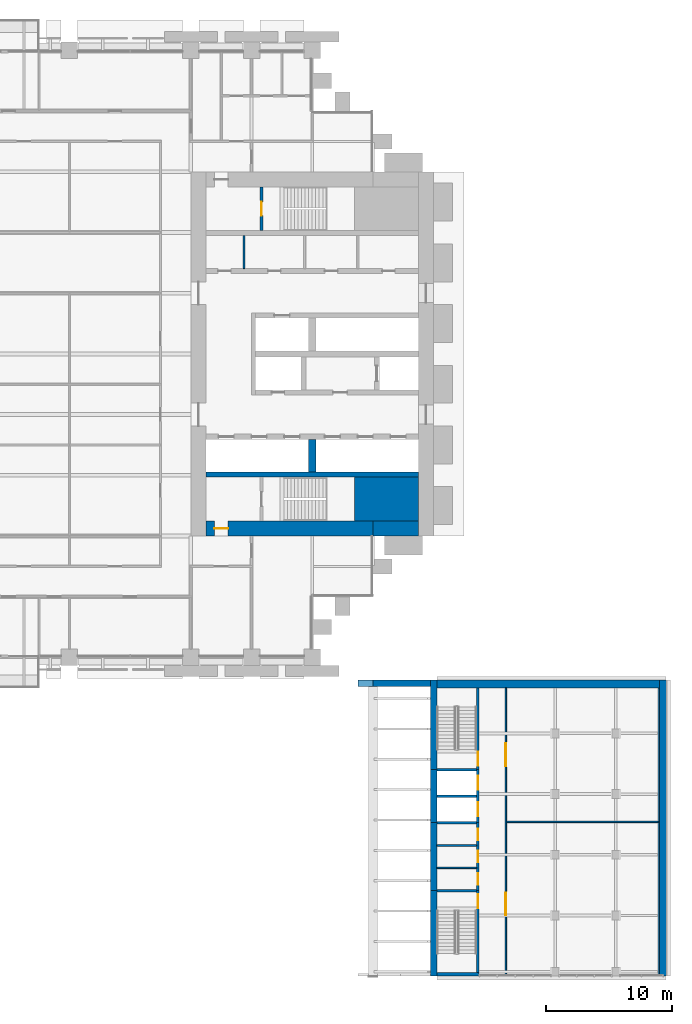
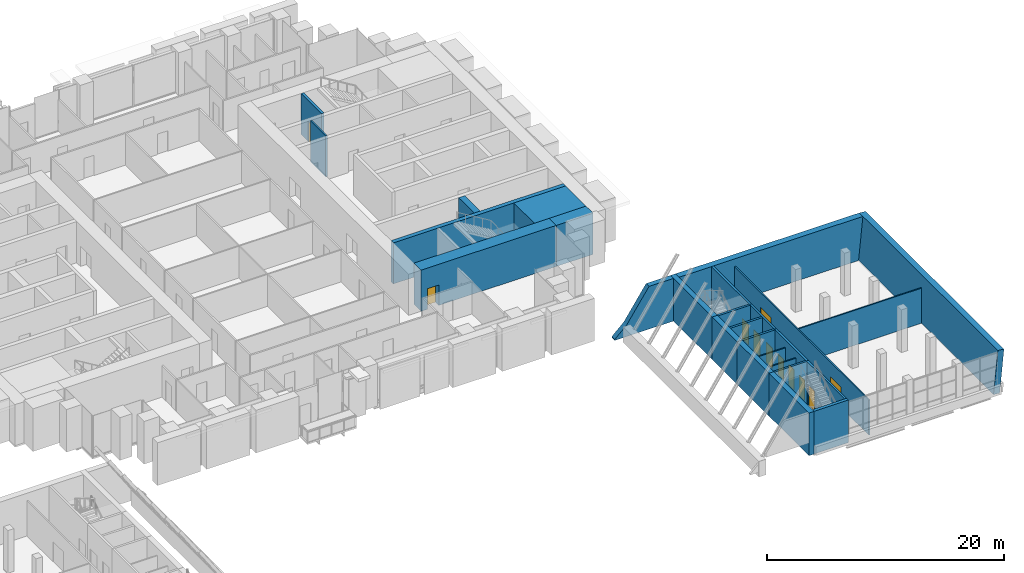
# One storey, part 25 of 32: 27 walls, 11 doors, 11 openings.
"""IFC4 building model written with IfcOpenShell, lengths in metres."""

from ifc_helpers import new_model, si_unit, direction, frame, frame_2d, origin, place, context, subcontext, project, spatial, polyline, rectangle, outline, extrude, material, layer, layer_set, type_object, element, fill, save


model = new_model("IFC4")

# Units and contexts
model_context = context("Model", 3, precision=1e-05, world=origin(), true_north=direction((0.0, 1.0)))
body_context = subcontext(model_context, "Body", "Model", "MODEL_VIEW")
ifc_project = project(units=[si_unit("LENGTHUNIT", "METRE"), si_unit("AREAUNIT", "SQUARE_METRE"), si_unit("VOLUMEUNIT", "CUBIC_METRE"), si_unit("PLANEANGLEUNIT", "RADIAN"), si_unit("MASSUNIT", "GRAM", prefix="KILO")], contexts=[model_context])

# Site, building, storey
site_placement = place(None, origin())
site = spatial("IfcSite", under=ifc_project, at=site_placement, CompositionType="ELEMENT")
building_placement = place(site_placement, origin())
building = spatial("IfcBuilding", under=site, at=building_placement, Name="Baori Bourse Tower", CompositionType="ELEMENT")
storey_placement = place(building_placement, frame((0.0, 0.0, 21.39990234375)))
storey = spatial("IfcBuildingStorey", under=building, at=storey_placement, Name="L03", CompositionType="ELEMENT", Elevation=21.39990234375)

# Walls
ifc_material_1 = material(Name="Concrete f'c 70 MPa", Category="concrete")
wall_type_1 = type_object("IfcWallType", Name="Core corner block f'c 70", PredefinedType="SHEAR", material=ifc_material_1)
wall_1_placement = place(storey_placement, frame((51.35009765625, 12.52490234375, 0.0), z_axis=(0.0, 0.0, 1.0), x_axis=(1.0, 0.0, 0.0)))
element("IfcWall", 1, at=wall_1_placement, inside=storey, type_object=wall_type_1, Name="Core wall E05", PredefinedType="SHEAR", context=body_context, shape_type="SweptSolid", body=[
    extrude(rectangle(XDim=5.0498046875, YDim=3.449951171875, at=frame_2d((2.52490234375, 0.0))), origin(), (0.0, 0.0, 1.0), 4.239990234375),
])
ifc_material_2 = material(Name="Blockwork partition", Category="masonry")
ifc_layer_1 = layer(ifc_material_2, 0.14990234375)
ifc_layer_set_1 = layer_set([ifc_layer_1], Name="Core partition 150")
wall_type_2 = type_object("IfcWallType", Name="Core partition 150", PredefinedType="PARTITIONING", material=ifc_layer_set_1)
wall_2_placement = place(storey_placement, frame((42.60009765625, 30.75, 0.0), z_axis=(0.0, 0.0, 1.0), x_axis=(0.0, 1.0, 0.0)))
element("IfcWall", 2, at=wall_2_placement, inside=storey, type_object=wall_type_2, Name="Partition wall E20", PredefinedType="PARTITIONING", context=body_context, shape_type="SweptSolid", body=[
    extrude(rectangle(XDim=2.60009765625, YDim=0.14990234375, at=frame_2d((1.300048828125, 0.0))), origin(), (0.0, 0.0, 1.0), 4.239990234375),
])
ifc_material_3 = material(Name="Concrete f'c 70 MPa", Category="concrete")
ifc_layer_2 = layer(ifc_material_3, 1.199951171875)
ifc_layer_set_2 = layer_set([ifc_layer_2], Name="Core wall 1200 f'c 70")
wall_type_3 = type_object("IfcWallType", Name="Core wall 1200 f'c 70", PredefinedType="SHEAR", material=ifc_layer_set_2)
wall_3_placement = place(storey_placement, frame((56.39990234375, 10.199951171875, 0.0), z_axis=(0.0, 0.0, 1.0), x_axis=(-1.0, 0.0, 0.0)))
element("IfcWall", 3, at=wall_3_placement, inside=storey, type_object=wall_type_3, Name="Core wall E02", PredefinedType="SHEAR", context=body_context, shape_type="SweptSolid", body=[
    extrude(rectangle(XDim=3.599853515625, YDim=1.199951171875, at=frame_2d((1.7998046875, 0.0))), origin(), (0.0, 0.0, 1.0), 4.239990234375),
])

# Wall, opening, door
wall_4_placement = place(storey_placement, frame((52.800048828125, 10.199951171875, 0.0), z_axis=(0.0, 0.0, 1.0), x_axis=(-1.0, 0.0, 0.0)))
wall_4 = element("IfcWall", 4, at=wall_4_placement, inside=storey, type_object=wall_type_3, Name="Core wall E03", PredefinedType="SHEAR", context=body_context, shape_type="SweptSolid", body=[
    extrude(rectangle(XDim=13.199951171875, YDim=1.199951171875, at=frame_2d((6.60009765625, 0.0))), origin(), (0.0, 0.0, 1.0), 4.239990234375),
])
opening_1_placement = place(wall_4_placement, frame((11.449951171875, 0.0, 0.0)))
opening_1 = element("IfcOpeningElement", 5, at=opening_1_placement, cuts=wall_4, Name="Opening L03-D202", PredefinedType="OPENING", context=body_context, shape_type="SweptSolid", body=[
    extrude(rectangle(XDim=1.10009765625, YDim=2.10009765625, at=frame_2d((0.550048828125, 1.050048828125))), frame((0.0, 0.60986328125, 0.0), z_axis=(0.0, -1.0, 0.0), x_axis=(1.0, 0.0, 0.0)), (0.0, 0.0, 1.0), 1.219970703125),
])
ifc_material_4 = material(Name="Painted steel door", Category="steel")
door_type_1 = type_object("IfcDoorType", Name="Stair door 1100", OperationType="SINGLE_SWING_LEFT", PredefinedType="DOOR", material=ifc_material_4)
door_1_placement = place(opening_1_placement, origin())
door_1 = element("IfcDoor", 6, at=door_1_placement, inside=storey, type_object=door_type_1, Name="Stair vestibule door A E L03", OperationType="SINGLE_SWING_LEFT", OverallHeight=2.10009765625, OverallWidth=1.10009765625, PredefinedType="DOOR", context=body_context, shape_type="SweptSolid", body=[
    extrude(rectangle(XDim=1.10009765625, YDim=2.10009765625, at=frame_2d((0.550048828125, 1.050048828125))), frame((0.0, 0.02490234375, 0.0), z_axis=(0.0, -1.0, 0.0), x_axis=(1.0, 0.0, 0.0)), (0.0, 0.0, 1.0), 0.050048828125),
])
fill(opening_1, door_1)

# Walls
ifc_material_5 = material(Name="Concrete f'c 50 MPa", Category="concrete")
ifc_layer_3 = layer(ifc_material_5, 0.300048828125)
ifc_layer_set_3 = layer_set([ifc_layer_3], Name="Entrance wall 300")
wall_type_4 = type_object("IfcWallType", Name="Entrance wall 300", PredefinedType="SOLIDWALL", material=ifc_layer_set_3)
wall_5_placement = place(storey_placement, frame((61.199951171875, -25.050048828125, 0.0), z_axis=(0.0, 0.0, 1.0), x_axis=(-1.0, 0.0, 0.0)))
element("IfcWall", 7, at=wall_5_placement, inside=storey, type_object=wall_type_4, Name="wing/L03/Esouthwall/001", PredefinedType="SOLIDWALL", context=body_context, shape_type="SweptSolid", body=[
    extrude(rectangle(XDim=3.349853515625, YDim=0.300048828125, at=frame_2d((1.6748046875, 0.0))), origin(), (0.0, 0.0, 1.0), 4.400146484375),
])
ifc_material_6 = material(Name="Concrete f'c 50 MPa", Category="concrete")
ifc_layer_4 = layer(ifc_material_6, 0.5)
ifc_layer_set_4 = layer_set([ifc_layer_4], Name="Hall end wall 500")
wall_type_5 = type_object("IfcWallType", Name="Hall end wall 500", PredefinedType="SOLIDWALL", material=ifc_layer_set_4)
wall_6_placement = place(storey_placement, frame((57.60009765625, -1.800048828125, 0.0), z_axis=(0.0, 0.0, 1.0), x_axis=(0.0, -1.0, 0.0)))
element("IfcWall", 8, at=wall_6_placement, inside=storey, type_object=wall_type_5, Name="wing/L03/Ehallwall/001", PredefinedType="SOLIDWALL", context=body_context, shape_type="SweptSolid", body=[
    extrude(rectangle(XDim=7.06005859375, YDim=0.5, at=frame_2d((3.530029296875, 0.0))), origin(), (0.0, 0.0, 1.0), 4.400146484375),
])
wall_7_placement = place(storey_placement, frame((57.60009765625, -8.860107421875, 0.0), z_axis=(0.0, 0.0, 1.0), x_axis=(0.0, -1.0, 0.0)))
element("IfcWall", 9, at=wall_7_placement, inside=storey, type_object=wall_type_5, Name="wing/L03/Ehallwall/002", PredefinedType="SOLIDWALL", context=body_context, shape_type="SweptSolid", body=[
    extrude(rectangle(XDim=4.199951171875, YDim=0.5, at=frame_2d((2.10009765625, 0.0))), origin(), (0.0, 0.0, 1.0), 4.400146484375),
])
wall_8_placement = place(storey_placement, frame((57.60009765625, -13.06005859375, 0.0), z_axis=(0.0, 0.0, 1.0), x_axis=(0.0, -1.0, 0.0)))
element("IfcWall", 10, at=wall_8_placement, inside=storey, type_object=wall_type_5, Name="wing/L03/Ehallwall/003", PredefinedType="SOLIDWALL", context=body_context, shape_type="SweptSolid", body=[
    extrude(rectangle(XDim=5.3798828125, YDim=0.5, at=frame_2d((2.68994140625, 0.0))), origin(), (0.0, 0.0, 1.0), 4.400146484375),
])
wall_9_placement = place(storey_placement, frame((57.60009765625, -18.43994140625, 0.0), z_axis=(0.0, 0.0, 1.0), x_axis=(0.0, -1.0, 0.0)))
element("IfcWall", 11, at=wall_9_placement, inside=storey, type_object=wall_type_5, Name="wing/L03/Ehallwall/004", PredefinedType="SOLIDWALL", context=body_context, shape_type="SweptSolid", body=[
    extrude(rectangle(XDim=6.760009765625, YDim=0.5, at=frame_2d((3.3798828125, 0.0))), origin(), (0.0, 0.0, 1.0), 4.400146484375),
])
ifc_material_7 = material(Name="Concrete f'c 50 MPa", Category="concrete")
ifc_layer_5 = layer(ifc_material_7, 0.5)
ifc_layer_set_5 = layer_set([ifc_layer_5], Name="Hall north wall 500")
wall_type_6 = type_object("IfcWallType", Name="Hall north wall 500", PredefinedType="SOLIDWALL", material=ifc_layer_set_5)
wall_10_placement = place(storey_placement, frame((51.626953125, -2.050048828125, 0.0), z_axis=(0.0, 0.0, 1.0), x_axis=(1.0, 0.0, 0.0)))
element("IfcWall", 12, at=wall_10_placement, inside=storey, type_object=wall_type_6, Name="wing/L03/hallnorth/002", PredefinedType="SOLIDWALL", context=body_context, shape_type="SweptSolid", body=[
    extrude(outline(polyline([(0.0, 0.0), (5.72314453125, 0.0), (5.72314453125, 4.400146484375), (3.345703125, 4.400146484375), (1.173095703125, 1.196044921875), (0.0, 0.10009765625), (0.0, 0.0)])), frame((0.0, 0.25, 0.0), z_axis=(0.0, -1.0, 0.0), x_axis=(1.0, 0.0, 0.0)), (0.0, 0.0, 1.0), 0.5),
])
ifc_material_8 = material(Name="Concrete f'c 50 MPa", Category="concrete")
ifc_layer_6 = layer(ifc_material_8, 0.60009765625)
ifc_layer_set_6 = layer_set([ifc_layer_6], Name="Leaning end wall 600")
wall_type_7 = type_object("IfcWallType", Name="Leaning end wall 600", PredefinedType="SOLIDWALL", material=ifc_layer_set_6)
wall_11_placement = place(storey_placement, frame((75.349853515625, -25.199951171875, 0.0), z_axis=(-0.995398398048, 0.0, 0.095822905211), x_axis=(0.0, 1.0, 0.0)))
element("IfcWall", 13, at=wall_11_placement, inside=storey, type_object=wall_type_7, Name="wing/L03/Eleanwall/001", PredefinedType="SOLIDWALL", context=body_context, shape_type="SweptSolid", body=[
    extrude(outline(polyline([(0.0, 0.0), (23.39990234375, 0.0), (23.39990234375, -4.420487809707959), (0.0, -4.420487809707959), (0.0, 0.0)])), origin(), (0.0, 0.0, -1.0), 0.60009765625),
])

# Wall, opening, door
ifc_material_9 = material(Name="Concrete f'c 50 MPa", Category="concrete")
ifc_layer_7 = layer(ifc_material_9, 0.199951171875)
ifc_layer_set_7 = layer_set([ifc_layer_7], Name="Shaft wall 200")
wall_type_8 = type_object("IfcWallType", Name="Shaft wall 200", PredefinedType="SOLIDWALL", material=ifc_layer_set_7)
wall_12_placement = place(storey_placement, frame((61.10009765625, -2.39990234375, 0.0), z_axis=(0.0, 0.0, 1.0), x_axis=(0.0, -1.0, 0.0)))
wall_12 = element("IfcWall", 14, at=wall_12_placement, inside=storey, type_object=wall_type_8, Name="wing/L03/EcorrwallE/001", PredefinedType="SOLIDWALL", context=body_context, shape_type="SweptSolid", body=[
    extrude(rectangle(XDim=6.460205078125, YDim=0.199951171875, at=frame_2d((3.22998046875, 0.0))), origin(), (0.0, 0.0, 1.0), 4.400146484375),
])
opening_2_placement = place(wall_12_placement, frame((5.050048828125, 0.0, 0.0)))
opening_2 = element("IfcOpeningElement", 15, at=opening_2_placement, cuts=wall_12, Name="Opening WGE-L03-01", PredefinedType="OPENING", context=body_context, shape_type="SweptSolid", body=[
    extrude(rectangle(XDim=1.10009765625, YDim=2.10009765625, at=frame_2d((0.550048828125, 1.050048828125))), frame((0.0, 0.10986328125, 0.0), z_axis=(0.0, -1.0, 0.0), x_axis=(1.0, 0.0, 0.0)), (0.0, 0.0, 1.0), 0.219970703125),
])
ifc_material_10 = material(Name="Steel fire door", Category="steel")
door_type_2 = type_object("IfcDoorType", Name="Wing stair door 1100", OperationType="SINGLE_SWING_LEFT", PredefinedType="DOOR", material=ifc_material_10)
door_2_placement = place(opening_2_placement, origin())
door_2 = element("IfcDoor", 16, at=door_2_placement, inside=storey, type_object=door_type_2, Name="WGE-L03-01", OperationType="SINGLE_SWING_LEFT", OverallHeight=2.10009765625, OverallWidth=1.10009765625, PredefinedType="DOOR", context=body_context, shape_type="SweptSolid", body=[
    extrude(rectangle(XDim=1.10009765625, YDim=2.10009765625, at=frame_2d((0.550048828125, 1.050048828125))), frame((0.0, 0.02490234375, 0.0), z_axis=(0.0, -1.0, 0.0), x_axis=(1.0, 0.0, 0.0)), (0.0, 0.0, 1.0), 0.050048828125),
])
fill(opening_2, door_2)

# Wall, openings, doors
wall_13_placement = place(storey_placement, frame((61.10009765625, -8.860107421875, 0.0), z_axis=(0.0, 0.0, 1.0), x_axis=(0.0, -1.0, 0.0)))
wall_13 = element("IfcWall", 17, at=wall_13_placement, inside=storey, type_object=wall_type_8, Name="wing/L03/EcorrwallE/002", PredefinedType="SOLIDWALL", context=body_context, shape_type="SweptSolid", body=[
    extrude(rectangle(XDim=4.199951171875, YDim=0.199951171875, at=frame_2d((2.10009765625, 0.0))), origin(), (0.0, 0.0, 1.0), 4.400146484375),
])
opening_3_placement = place(wall_13_placement, frame((0.5, 0.0, 0.0)))
opening_3 = element("IfcOpeningElement", 18, at=opening_3_placement, cuts=wall_13, Name="Opening LD-E-L03-P", PredefinedType="OPENING", context=body_context, shape_type="SweptSolid", body=[
    extrude(rectangle(XDim=1.10009765625, YDim=2.10009765625, at=frame_2d((0.550048828125, 1.050048828125))), frame((0.0, 0.10986328125, 0.0), z_axis=(0.0, -1.0, 0.0), x_axis=(1.0, 0.0, 0.0)), (0.0, 0.0, 1.0), 0.219970703125),
])
opening_4_placement = place(wall_13_placement, frame((2.60009765625, 0.0, 0.0)))
opening_4 = element("IfcOpeningElement", 19, at=opening_4_placement, cuts=wall_13, Name="Opening LD-E-L03-S", PredefinedType="OPENING", context=body_context, shape_type="SweptSolid", body=[
    extrude(rectangle(XDim=1.10009765625, YDim=2.10009765625, at=frame_2d((0.550048828125, 1.050048828125))), frame((0.0, 0.10986328125, 0.0), z_axis=(0.0, -1.0, 0.0), x_axis=(1.0, 0.0, 0.0)), (0.0, 0.0, 1.0), 0.219970703125),
])
ifc_material_11 = material(Name="Stainless steel door", Category="steel")
door_type_3 = type_object("IfcDoorType", Name="Lift landing door 1100", OperationType="SLIDING_TO_LEFT", PredefinedType="DOOR", material=ifc_material_11)
door_3_placement = place(opening_3_placement, origin())
door_3 = element("IfcDoor", 20, at=door_3_placement, inside=storey, type_object=door_type_3, Name="LD-E-L03-P", OperationType="SLIDING_TO_LEFT", OverallHeight=2.10009765625, OverallWidth=1.10009765625, PredefinedType="DOOR", context=body_context, shape_type="SweptSolid", body=[
    extrude(rectangle(XDim=1.10009765625, YDim=2.10009765625, at=frame_2d((0.550048828125, 1.050048828125))), frame((0.0, 0.02490234375, 0.0), z_axis=(0.0, -1.0, 0.0), x_axis=(1.0, 0.0, 0.0)), (0.0, 0.0, 1.0), 0.050048828125),
])
fill(opening_3, door_3)
door_4_placement = place(opening_4_placement, origin())
door_4 = element("IfcDoor", 21, at=door_4_placement, inside=storey, type_object=door_type_3, Name="LD-E-L03-S", OperationType="SLIDING_TO_LEFT", OverallHeight=2.10009765625, OverallWidth=1.10009765625, PredefinedType="DOOR", context=body_context, shape_type="SweptSolid", body=[
    extrude(rectangle(XDim=1.10009765625, YDim=2.10009765625, at=frame_2d((0.550048828125, 1.050048828125))), frame((0.0, 0.02490234375, 0.0), z_axis=(0.0, -1.0, 0.0), x_axis=(1.0, 0.0, 0.0)), (0.0, 0.0, 1.0), 0.050048828125),
])
fill(opening_4, door_4)

wall_14_placement = place(storey_placement, frame((61.10009765625, -13.06005859375, 0.0), z_axis=(0.0, 0.0, 1.0), x_axis=(0.0, -1.0, 0.0)))
wall_14 = element("IfcWall", 22, at=wall_14_placement, inside=storey, type_object=wall_type_8, Name="wing/L03/EcorrwallE/003", PredefinedType="SOLIDWALL", context=body_context, shape_type="SweptSolid", body=[
    extrude(rectangle(XDim=5.3798828125, YDim=0.199951171875, at=frame_2d((2.68994140625, 0.0))), origin(), (0.0, 0.0, 1.0), 4.400146484375),
])
opening_5_placement = place(wall_14_placement, frame((0.4716796875, 0.0, 0.0)))
opening_5 = element("IfcOpeningElement", 23, at=opening_5_placement, cuts=wall_14, Name="Opening WGE-L03-05", PredefinedType="OPENING", context=body_context, shape_type="SweptSolid", body=[
    extrude(rectangle(XDim=0.89990234375, YDim=2.10009765625, at=frame_2d((0.449951171875, 1.050048828125))), frame((0.0, 0.10986328125, 0.0), z_axis=(0.0, -1.0, 0.0), x_axis=(1.0, 0.0, 0.0)), (0.0, 0.0, 1.0), 0.219970703125),
])
opening_6_placement = place(wall_14_placement, frame((2.239990234375, 0.0, 0.0)))
opening_6 = element("IfcOpeningElement", 24, at=opening_6_placement, cuts=wall_14, Name="Opening WGE-L03-06", PredefinedType="OPENING", context=body_context, shape_type="SweptSolid", body=[
    extrude(rectangle(XDim=0.89990234375, YDim=2.10009765625, at=frame_2d((0.449951171875, 1.050048828125))), frame((0.0, 0.10986328125, 0.0), z_axis=(0.0, -1.0, 0.0), x_axis=(1.0, 0.0, 0.0)), (0.0, 0.0, 1.0), 0.219970703125),
])
opening_7_placement = place(wall_14_placement, frame((4.00830078125, 0.0, 0.0)))
opening_7 = element("IfcOpeningElement", 25, at=opening_7_placement, cuts=wall_14, Name="Opening WGE-L03-07", PredefinedType="OPENING", context=body_context, shape_type="SweptSolid", body=[
    extrude(rectangle(XDim=0.89990234375, YDim=2.10009765625, at=frame_2d((0.449951171875, 1.050048828125))), frame((0.0, 0.10986328125, 0.0), z_axis=(0.0, -1.0, 0.0), x_axis=(1.0, 0.0, 0.0)), (0.0, 0.0, 1.0), 0.219970703125),
])
ifc_material_12 = material(Name="Timber door", Category="wood")
door_type_4 = type_object("IfcDoorType", Name="Wing toilet door 900x2100", OperationType="SINGLE_SWING_LEFT", PredefinedType="DOOR", material=ifc_material_12)
door_5_placement = place(opening_5_placement, origin())
door_5 = element("IfcDoor", 26, at=door_5_placement, inside=storey, type_object=door_type_4, Name="WGE-L03-05", OperationType="SINGLE_SWING_LEFT", OverallHeight=2.10009765625, OverallWidth=0.89990234375, PredefinedType="DOOR", context=body_context, shape_type="SweptSolid", body=[
    extrude(rectangle(XDim=0.89990234375, YDim=2.10009765625, at=frame_2d((0.449951171875, 1.050048828125))), frame((0.0, 0.02490234375, 0.0), z_axis=(0.0, -1.0, 0.0), x_axis=(1.0, 0.0, 0.0)), (0.0, 0.0, 1.0), 0.050048828125),
])
fill(opening_5, door_5)
door_6_placement = place(opening_6_placement, origin())
door_6 = element("IfcDoor", 27, at=door_6_placement, inside=storey, type_object=door_type_4, Name="WGE-L03-06", OperationType="SINGLE_SWING_LEFT", OverallHeight=2.10009765625, OverallWidth=0.89990234375, PredefinedType="DOOR", context=body_context, shape_type="SweptSolid", body=[
    extrude(rectangle(XDim=0.89990234375, YDim=2.10009765625, at=frame_2d((0.449951171875, 1.050048828125))), frame((0.0, 0.02490234375, 0.0), z_axis=(0.0, -1.0, 0.0), x_axis=(1.0, 0.0, 0.0)), (0.0, 0.0, 1.0), 0.050048828125),
])
fill(opening_6, door_6)
door_7_placement = place(opening_7_placement, origin())
door_7 = element("IfcDoor", 28, at=door_7_placement, inside=storey, type_object=door_type_4, Name="WGE-L03-07", OperationType="SINGLE_SWING_LEFT", OverallHeight=2.10009765625, OverallWidth=0.89990234375, PredefinedType="DOOR", context=body_context, shape_type="SweptSolid", body=[
    extrude(rectangle(XDim=0.89990234375, YDim=2.10009765625, at=frame_2d((0.449951171875, 1.050048828125))), frame((0.0, 0.02490234375, 0.0), z_axis=(0.0, -1.0, 0.0), x_axis=(1.0, 0.0, 0.0)), (0.0, 0.0, 1.0), 0.050048828125),
])
fill(opening_7, door_7)

# Wall, opening, door
wall_15_placement = place(storey_placement, frame((61.10009765625, -18.43994140625, 0.0), z_axis=(0.0, 0.0, 1.0), x_axis=(0.0, -1.0, 0.0)))
wall_15 = element("IfcWall", 29, at=wall_15_placement, inside=storey, type_object=wall_type_8, Name="wing/L03/EcorrwallE/004", PredefinedType="SOLIDWALL", context=body_context, shape_type="SweptSolid", body=[
    extrude(rectangle(XDim=6.4599609375, YDim=0.199951171875, at=frame_2d((3.22998046875, 0.0))), origin(), (0.0, 0.0, 1.0), 4.400146484375),
])
opening_8_placement = place(wall_15_placement, frame((0.300048828125, 0.0, 0.0)))
opening_8 = element("IfcOpeningElement", 30, at=opening_8_placement, cuts=wall_15, Name="Opening WGE-L03-02", PredefinedType="OPENING", context=body_context, shape_type="SweptSolid", body=[
    extrude(rectangle(XDim=1.10009765625, YDim=2.10009765625, at=frame_2d((0.550048828125, 1.050048828125))), frame((0.0, 0.10986328125, 0.0), z_axis=(0.0, -1.0, 0.0), x_axis=(1.0, 0.0, 0.0)), (0.0, 0.0, 1.0), 0.219970703125),
])
door_8_placement = place(opening_8_placement, origin())
door_8 = element("IfcDoor", 31, at=door_8_placement, inside=storey, type_object=door_type_2, Name="WGE-L03-02", OperationType="SINGLE_SWING_LEFT", OverallHeight=2.10009765625, OverallWidth=1.10009765625, PredefinedType="DOOR", context=body_context, shape_type="SweptSolid", body=[
    extrude(rectangle(XDim=1.10009765625, YDim=2.10009765625, at=frame_2d((0.550048828125, 1.050048828125))), frame((0.0, 0.02490234375, 0.0), z_axis=(0.0, -1.0, 0.0), x_axis=(1.0, 0.0, 0.0)), (0.0, 0.0, 1.0), 0.050048828125),
])
fill(opening_8, door_8)

# Walls
for number, where, z_axis, x_axis, name in (
    (32, (61.0, -8.860107421875, 0.0), (0.0, 0.0, 1.0), (-1.0, 0.0, 0.0), "wing/L03/Eshaftwall/001"),
    (33, (61.0, -10.9599609375, 0.0), (0.0, 0.0, 1.0), (-1.0, 0.0, 0.0), "wing/L03/Eshaftwall/002"),
    (34, (61.0, -13.06005859375, 0.0), (0.0, 0.0, 1.0), (-1.0, 0.0, 0.0), "wing/L03/Eshaftwall/003"),
    (35, (61.0, -18.43994140625, 0.0), (0.0, 0.0, 1.0), (-1.0, 0.0, 0.0), "wing/L03/Eshaftwall/004"),
):
    element("IfcWall", number, at=place(storey_placement, frame(where, z_axis=z_axis, x_axis=x_axis)), inside=storey, type_object=wall_type_8, Name=name, PredefinedType="SOLIDWALL", context=body_context, shape_type="SweptSolid", body=[
        extrude(rectangle(XDim=3.14990234375, YDim=0.199951171875, at=frame_2d((1.574951171875, 0.0))), origin(), (0.0, 0.0, 1.0), 4.400146484375),
    ])

# Wall, opening, door
ifc_material_13 = material(Name="Concrete f'c 70 MPa", Category="concrete")
ifc_layer_8 = layer(ifc_material_13, 0.25)
ifc_layer_set_8 = layer_set([ifc_layer_8], Name="Shaft wall 250 f'c 70")
wall_type_9 = type_object("IfcWallType", Name="Shaft wall 250 f'c 70", PredefinedType="SHEAR", material=ifc_layer_set_8)
wall_16_placement = place(storey_placement, frame((43.97509765625, 33.75, 0.0), z_axis=(0.0, 0.0, 1.0), x_axis=(0.0, 1.0, 0.0)))
wall_16 = element("IfcWall", 36, at=wall_16_placement, inside=storey, type_object=wall_type_9, Name="Core wall E23", PredefinedType="SHEAR", context=body_context, shape_type="SweptSolid", body=[
    extrude(rectangle(XDim=3.449951171875, YDim=0.25, at=frame_2d((1.72509765625, 0.0))), origin(), (0.0, 0.0, 1.0), 4.239990234375),
])
opening_9_placement = place(wall_16_placement, frame((1.175048828125, 0.0, 0.0)))
opening_9 = element("IfcOpeningElement", 37, at=opening_9_placement, cuts=wall_16, Name="Opening L03-D203", PredefinedType="OPENING", context=body_context, shape_type="SweptSolid", body=[
    extrude(rectangle(XDim=1.10009765625, YDim=2.10009765625, at=frame_2d((0.550048828125, 1.050048828125))), frame((0.0, 0.135009765625, 0.0), z_axis=(0.0, -1.0, 0.0), x_axis=(1.0, 0.0, 0.0)), (0.0, 0.0, 1.0), 0.27001953125),
])
door_9_placement = place(opening_9_placement, origin())
door_9 = element("IfcDoor", 38, at=door_9_placement, inside=storey, type_object=door_type_1, Name="Stair door B E L03", OperationType="SINGLE_SWING_LEFT", OverallHeight=2.10009765625, OverallWidth=1.10009765625, PredefinedType="DOOR", context=body_context, shape_type="SweptSolid", body=[
    extrude(rectangle(XDim=1.10009765625, YDim=2.10009765625, at=frame_2d((0.550048828125, 1.050048828125))), frame((0.0, 0.02490234375, 0.0), z_axis=(0.0, -1.0, 0.0), x_axis=(1.0, 0.0, 0.0)), (0.0, 0.0, 1.0), 0.050048828125),
])
fill(opening_9, door_9)

# Walls
ifc_material_14 = material(Name="Concrete f'c 70 MPa", Category="concrete")
ifc_layer_9 = layer(ifc_material_14, 0.39990234375)
ifc_layer_set_9 = layer_set([ifc_layer_9], Name="Shaft wall 400 f'c 70")
wall_type_10 = type_object("IfcWallType", Name="Shaft wall 400 f'c 70", PredefinedType="SHEAR", material=ifc_layer_set_9)
wall_17_placement = place(storey_placement, frame((39.60009765625, 14.449951171875, 0.0), z_axis=(0.0, 0.0, 1.0), x_axis=(1.0, 0.0, 0.0)))
element("IfcWall", 39, at=wall_17_placement, inside=storey, type_object=wall_type_10, Name="Core wall E07", PredefinedType="SHEAR", context=body_context, shape_type="SweptSolid", body=[
    extrude(rectangle(XDim=16.7998046875, YDim=0.39990234375, at=frame_2d((8.39990234375, 0.0))), origin(), (0.0, 0.0, 1.0), 4.239990234375),
])
ifc_material_15 = material(Name="Concrete f'c 70 MPa", Category="concrete")
ifc_layer_10 = layer(ifc_material_15, 0.60009765625)
ifc_layer_set_10 = layer_set([ifc_layer_10], Name="Shaft wall 600 f'c 70")
wall_type_11 = type_object("IfcWallType", Name="Shaft wall 600 f'c 70", PredefinedType="SHEAR", material=ifc_layer_set_10)
wall_18_placement = place(storey_placement, frame((48.0, 14.64990234375, 0.0), z_axis=(0.0, 0.0, 1.0), x_axis=(0.0, 1.0, 0.0)))
element("IfcWall", 40, at=wall_18_placement, inside=storey, type_object=wall_type_11, Name="Core wall E08", PredefinedType="SHEAR", context=body_context, shape_type="SweptSolid", body=[
    extrude(rectangle(XDim=2.60009765625, YDim=0.60009765625, at=frame_2d((1.300048828125, 0.0))), origin(), (0.0, 0.0, 1.0), 4.239990234375),
])
ifc_material_16 = material(Name="Concrete f'c 50 MPa", Category="concrete")
ifc_layer_11 = layer(ifc_material_16, 0.60009765625)
ifc_layer_set_11 = layer_set([ifc_layer_11], Name="Wing north wall 600")
wall_type_12 = type_object("IfcWallType", Name="Wing north wall 600", PredefinedType="SOLIDWALL", material=ifc_layer_set_11)
wall_19_placement = place(storey_placement, frame((57.85009765625, -2.10009765625, 0.0), z_axis=(0.0, 0.0, 1.0), x_axis=(1.0, 0.0, 0.0)))
element("IfcWall", 41, at=wall_19_placement, inside=storey, type_object=wall_type_12, Name="wing/L03/Enorthwall/001", PredefinedType="SOLIDWALL", context=body_context, shape_type="SweptSolid", body=[
    extrude(outline(polyline([(0.0, 0.0), (17.499755859375, 0.0), (17.923583984375, 4.400146484375), (0.0, 4.400146484375), (0.0, 0.0)])), frame((0.0, 0.300048828125, 0.0), z_axis=(0.0, -1.0, 0.0), x_axis=(1.0, 0.0, 0.0)), (0.0, 0.0, 1.0), 0.60009765625),
])

# Wall, openings, doors
ifc_material_17 = material(Name="Gypsum board partition")
ifc_layer_12 = layer(ifc_material_17, 0.125)
ifc_layer_set_12 = layer_set([ifc_layer_12], Name="Wing partition 125")
wall_type_13 = type_object("IfcWallType", Name="Wing partition 125", PredefinedType="PARTITIONING", material=ifc_layer_set_12)
wall_20_placement = place(storey_placement, frame((63.300048828125, -25.10009765625, 0.0), z_axis=(0.0, 0.0, 1.0), x_axis=(0.0, 1.0, 0.0)))
wall_20 = element("IfcWall", 42, at=wall_20_placement, inside=storey, type_object=wall_type_13, Name="wing/L03/EcorrwallW/001", PredefinedType="PARTITIONING", context=body_context, shape_type="SweptSolid", body=[
    extrude(rectangle(XDim=22.7001953125, YDim=0.125, at=frame_2d((11.35009765625, 0.0))), origin(), (0.0, 0.0, 1.0), 3.6201171875),
])
opening_10_placement = place(wall_20_placement, frame((16.5, 0.0, 0.0)))
opening_10 = element("IfcOpeningElement", 43, at=opening_10_placement, cuts=wall_20, Name="Opening WGE-L03-03", PredefinedType="OPENING", context=body_context, shape_type="SweptSolid", body=[
    extrude(rectangle(XDim=1.800048828125, YDim=2.10009765625, at=frame_2d((0.89990234375, 1.050048828125))), frame((0.0, 0.072509765625, 0.0), z_axis=(0.0, -1.0, 0.0), x_axis=(1.0, 0.0, 0.0)), (0.0, 0.0, 1.0), 0.14501953125),
])
opening_11_placement = place(wall_20_placement, frame((4.699951171875, 0.0, 0.0)))
opening_11 = element("IfcOpeningElement", 44, at=opening_11_placement, cuts=wall_20, Name="Opening WGE-L03-04", PredefinedType="OPENING", context=body_context, shape_type="SweptSolid", body=[
    extrude(rectangle(XDim=1.800048828125, YDim=2.10009765625, at=frame_2d((0.89990234375, 1.050048828125))), frame((0.0, 0.072509765625, 0.0), z_axis=(0.0, -1.0, 0.0), x_axis=(1.0, 0.0, 0.0)), (0.0, 0.0, 1.0), 0.14501953125),
])
ifc_material_18 = material(Name="Timber door", Category="wood")
door_type_5 = type_object("IfcDoorType", Name="Wing double door 1800x2100", OperationType="DOUBLE_DOOR_SINGLE_SWING", PredefinedType="DOOR", material=ifc_material_18)
door_10_placement = place(opening_10_placement, origin())
door_10 = element("IfcDoor", 45, at=door_10_placement, inside=storey, type_object=door_type_5, Name="WGE-L03-03", OperationType="DOUBLE_DOOR_SINGLE_SWING", OverallHeight=2.10009765625, OverallWidth=1.800048828125, PredefinedType="DOOR", context=body_context, shape_type="SweptSolid", body=[
    extrude(rectangle(XDim=1.800048828125, YDim=2.10009765625, at=frame_2d((0.89990234375, 1.050048828125))), frame((0.0, 0.02490234375, 0.0), z_axis=(0.0, -1.0, 0.0), x_axis=(1.0, 0.0, 0.0)), (0.0, 0.0, 1.0), 0.050048828125),
])
fill(opening_10, door_10)
door_11_placement = place(opening_11_placement, origin())
door_11 = element("IfcDoor", 46, at=door_11_placement, inside=storey, type_object=door_type_5, Name="WGE-L03-04", OperationType="DOUBLE_DOOR_SINGLE_SWING", OverallHeight=2.10009765625, OverallWidth=1.800048828125, PredefinedType="DOOR", context=body_context, shape_type="SweptSolid", body=[
    extrude(rectangle(XDim=1.800048828125, YDim=2.10009765625, at=frame_2d((0.89990234375, 1.050048828125))), frame((0.0, 0.02490234375, 0.0), z_axis=(0.0, -1.0, 0.0), x_axis=(1.0, 0.0, 0.0)), (0.0, 0.0, 1.0), 0.050048828125),
])
fill(opening_11, door_11)

# Walls
wall_21_placement = place(storey_placement, frame((63.362548828125, -13.0, 0.0), z_axis=(0.0, 0.0, 1.0), x_axis=(1.0, 0.0, 0.0)))
element("IfcWall", 47, at=wall_21_placement, inside=storey, type_object=wall_type_13, Name="wing/L03/Emidwall/001", PredefinedType="PARTITIONING", context=body_context, shape_type="SweptSolid", body=[
    extrude(rectangle(XDim=11.9873046875, YDim=0.125, at=frame_2d((5.99365234375, 0.0))), origin(), (0.0, 0.0, 1.0), 3.6201171875),
])
for number, where, z_axis, x_axis, name in (
    (48, (61.0, -14.86572265625, 0.0), (0.0, 0.0, 1.0), (-1.0, 0.0, 0.0), "wing/L03/Ewcwall/001"),
    (49, (61.0, -16.63427734375, 0.0), (0.0, 0.0, 1.0), (-1.0, 0.0, 0.0), "wing/L03/Ewcwall/002"),
):
    element("IfcWall", number, at=place(storey_placement, frame(where, z_axis=z_axis, x_axis=x_axis)), inside=storey, type_object=wall_type_13, Name=name, PredefinedType="PARTITIONING", context=body_context, shape_type="SweptSolid", body=[
        extrude(rectangle(XDim=3.14990234375, YDim=0.125, at=frame_2d((1.574951171875, 0.0))), origin(), (0.0, 0.0, 1.0), 3.6201171875),
    ])

save(model, "model.ifc")
